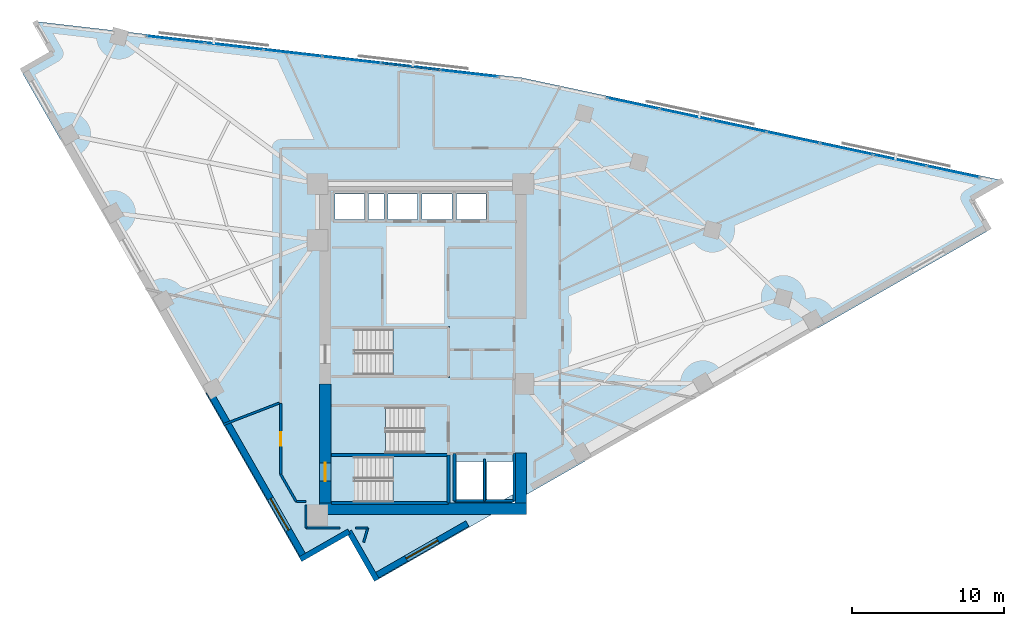
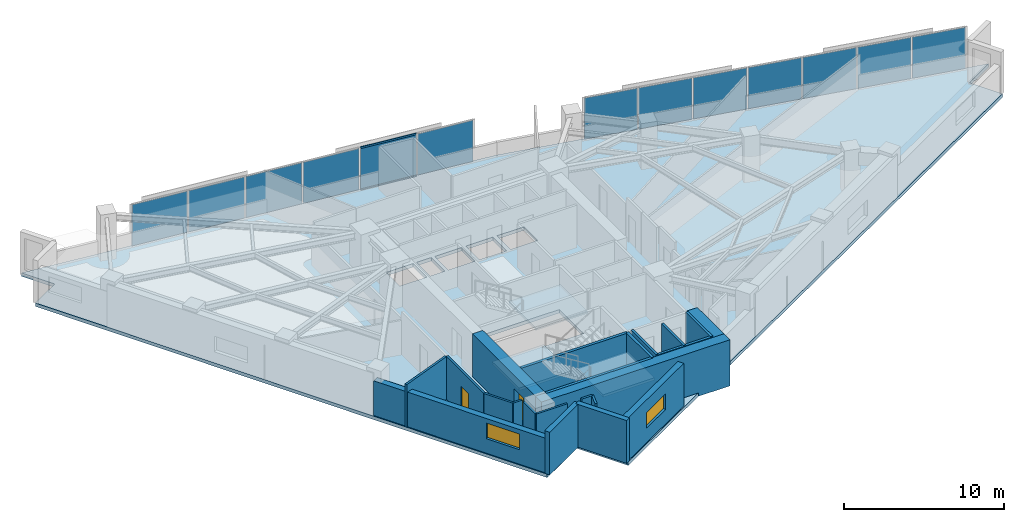
# One storey, part 8 of 13: 22 walls, 13 plates, 4 slabs, 2 doors, 2 members, 2 windows, 4 openings, 5 elements without a shape of their own.
"""IFC4 building model written with IfcOpenShell, lengths in metres."""

from ifc_helpers import new_model, si_unit, direction, frame, frame_2d, origin, origin_2d, place, context, subcontext, project, spatial, polyline, rectangle, hollow_rectangle, outline, extrude, material, layer, layer_set, material_profile, profile_set, type_object, element, fill, aggregate, save


model = new_model("IFC4")

# Units and contexts
model_context = context("Model", 3, precision=1e-05, world=origin(), true_north=direction((0.0, 1.0)))
body_context = subcontext(model_context, "Body", "Model", "MODEL_VIEW")
ifc_project = project(units=[si_unit("LENGTHUNIT", "METRE"), si_unit("AREAUNIT", "SQUARE_METRE"), si_unit("VOLUMEUNIT", "CUBIC_METRE"), si_unit("PLANEANGLEUNIT", "RADIAN"), si_unit("MASSUNIT", "GRAM", prefix="KILO")], contexts=[model_context])

# Site, building, storey
site_placement = place(None, origin())
site = spatial("IfcSite", under=ifc_project, at=site_placement, CompositionType="ELEMENT")
building_placement = place(site_placement, origin())
building = spatial("IfcBuilding", under=site, at=building_placement, Name="Narakoshi Arena Tower", CompositionType="ELEMENT")
storey_placement = place(building_placement, frame((0.0, 0.0, 225.5400390625)))
storey = spatial("IfcBuildingStorey", under=building, at=storey_placement, Name="L61", CompositionType="ELEMENT", Elevation=225.5400390625)

# Curtain wall, members
ifc_material_1 = material(Name="Anodised bronze aluminium 6063-T6", Category="aluminium")
curtain_wall_type = type_object("IfcCurtainWallType", Name="CW-HYP-MID", PredefinedType="NOTDEFINED", material=ifc_material_1)
curtain_wall_1_placement = place(storey_placement, origin())
curtain_wall_1 = element("IfcCurtainWall", 1, at=curtain_wall_1_placement, inside=storey, type_object=curtain_wall_type, Name="L61 Folded Hypotenuse Curtain Wall 2-1", PredefinedType="NOTDEFINED")
ifc_material_profile = material_profile(ifc_material_1, hollow_rectangle(XDim=0.06494140625, YDim=0.1298828125, WallThickness=0.00390625, OuterFilletRadius=0.0048828125, at=origin_2d()), Name="TRN130x65x4")
ifc_profile_set = profile_set([ifc_material_profile], Name="Anodised bronze aluminium 6063-T6")
member_type = type_object("IfcMemberType", Name="MEM-TRN-130", PredefinedType="USERDEFINED", material=ifc_profile_set)
member_1_placement = place(storey_placement, frame((80.032470703125, 64.002685546875, 0.032470703125), z_axis=(-0.993360986362, 0.115038909828, 0.0), x_axis=(-0.115038909828, -0.993360986362, 0.0)))
member_1 = element("IfcMember", 2, at=member_1_placement, type_object=member_type, Name="CW-02 transom 2.1", ObjectType="TRANSOM", PredefinedType="USERDEFINED", context=body_context, shape_type="SweptSolid", body=[
    extrude(hollow_rectangle(XDim=0.06494140625, YDim=0.1298828125, WallThickness=0.00390625, OuterFilletRadius=0.0048828125, at=origin_2d()), origin(), (0.0, 0.0, 1.0), 3.820068359375),
])
member_2_placement = place(storey_placement, frame((80.032470703125, 64.002685546875, 3.2275390625), z_axis=(-0.993360986362, 0.115038909828, 0.0), x_axis=(-0.115038909828, -0.993360986362, 0.0)))
member_2 = element("IfcMember", 3, at=member_2_placement, type_object=member_type, Name="CW-02 transom 2.2", ObjectType="TRANSOM", PredefinedType="USERDEFINED", context=body_context, shape_type="SweptSolid", body=[
    extrude(hollow_rectangle(XDim=0.06494140625, YDim=0.1298828125, WallThickness=0.00390625, OuterFilletRadius=0.0048828125, at=origin_2d()), origin(), (0.0, 0.0, 1.0), 3.820068359375),
])

# Curtain wall, plates
curtain_wall_2_placement = place(storey_placement, origin())
curtain_wall_2 = element("IfcCurtainWall", 4, at=curtain_wall_2_placement, inside=storey, type_object=curtain_wall_type, Name="L61 Folded Hypotenuse Curtain Wall 1-1", PredefinedType="NOTDEFINED")
ifc_material_2 = material(Name="Bronze-tinted low-E laminated glass", Category="glass")
ifc_layer_1 = layer(ifc_material_2, 0.0380859375)
ifc_layer_set_1 = layer_set([ifc_layer_1], Name="Bronze-tinted low-E laminated glass")
plate_type = type_object("IfcPlateType", Name="PLT-GLZ-38", PredefinedType="CURTAIN_PANEL", material=ifc_layer_set_1)
plate_1_placement = place(storey_placement, frame((113.835205078125, 57.3095703125, 0.06494140625), z_axis=(0.0, 0.0, 1.0), x_axis=(-0.977937185914, 0.208899163248, 0.0)))
plate_1 = element("IfcPlate", 5, at=plate_1_placement, type_object=plate_type, Name="CW-02 panel 1.1", PredefinedType="CURTAIN_PANEL", context=body_context, shape_type="SweptSolid", body=[
    extrude(rectangle(XDim=3.48095703125, YDim=0.0380859375, at=origin_2d()), origin(), (0.0, 0.0, 1.0), 3.1298828125),
])
plate_2_placement = place(storey_placement, frame((110.33935546875, 58.056396484375, 0.06494140625), z_axis=(0.0, 0.0, 1.0), x_axis=(-0.977937185914, 0.208899163248, 0.0)))
plate_2 = element("IfcPlate", 6, at=plate_2_placement, type_object=plate_type, Name="CW-02 panel 2.1", PredefinedType="CURTAIN_PANEL", context=body_context, shape_type="SweptSolid", body=[
    extrude(rectangle(XDim=3.518310546875, YDim=0.0380859375, at=origin_2d()), origin(), (0.0, 0.0, 1.0), 3.1298828125),
])
plate_3_placement = place(storey_placement, frame((106.8251953125, 58.806884765625, 0.06494140625), z_axis=(0.0, 0.0, 1.0), x_axis=(-0.977937185914, 0.208899163248, 0.0)))
plate_3 = element("IfcPlate", 7, at=plate_3_placement, type_object=plate_type, Name="CW-02 panel 3.1", PredefinedType="CURTAIN_PANEL", context=body_context, shape_type="SweptSolid", body=[
    extrude(rectangle(XDim=3.518310546875, YDim=0.0380859375, at=origin_2d()), origin(), (0.0, 0.0, 1.0), 3.1298828125),
])
plate_4_placement = place(storey_placement, frame((103.31103515625, 59.5576171875, 0.06494140625), z_axis=(0.0, 0.0, 1.0), x_axis=(-0.977937185914, 0.208899163248, 0.0)))
plate_4 = element("IfcPlate", 8, at=plate_4_placement, type_object=plate_type, Name="CW-02 panel 4.1", PredefinedType="CURTAIN_PANEL", context=body_context, shape_type="SweptSolid", body=[
    extrude(rectangle(XDim=3.518310546875, YDim=0.0380859375, at=origin_2d()), origin(), (0.0, 0.0, 1.0), 3.1298828125),
])
plate_5_placement = place(storey_placement, frame((99.796875, 60.308349609375, 0.06494140625), z_axis=(0.0, 0.0, 1.0), x_axis=(-0.977937185914, 0.208899163248, 0.0)))
plate_5 = element("IfcPlate", 9, at=plate_5_placement, type_object=plate_type, Name="CW-02 panel 5.1", PredefinedType="CURTAIN_PANEL", context=body_context, shape_type="SweptSolid", body=[
    extrude(rectangle(XDim=3.518310546875, YDim=0.0380859375, at=origin_2d()), origin(), (0.0, 0.0, 1.0), 3.1298828125),
])
plate_6_placement = place(storey_placement, frame((96.282958984375, 61.058837890625, 0.06494140625), z_axis=(0.0, 0.0, 1.0), x_axis=(-0.977937185914, 0.208899163248, 0.0)))
plate_6 = element("IfcPlate", 10, at=plate_6_placement, type_object=plate_type, Name="CW-02 panel 6.1", PredefinedType="CURTAIN_PANEL", context=body_context, shape_type="SweptSolid", body=[
    extrude(rectangle(XDim=3.518310546875, YDim=0.0380859375, at=origin_2d()), origin(), (0.0, 0.0, 1.0), 3.1298828125),
])
plate_7_placement = place(storey_placement, frame((92.787109375, 61.8056640625, 0.06494140625), z_axis=(0.0, 0.0, 1.0), x_axis=(-0.977937185914, 0.208899163248, 0.0)))
plate_7 = element("IfcPlate", 11, at=plate_7_placement, type_object=plate_type, Name="CW-02 panel 7.1", PredefinedType="CURTAIN_PANEL", context=body_context, shape_type="SweptSolid", body=[
    extrude(rectangle(XDim=3.48095703125, YDim=0.0380859375, at=origin_2d()), origin(), (0.0, 0.0, 1.0), 3.1298828125),
])
aggregate(curtain_wall_2, [plate_1, plate_2, plate_3, plate_4, plate_5, plate_6, plate_7])

# Plate
plate_8_placement = place(storey_placement, frame((81.985595703125, 63.776611328125, 0.06494140625), z_axis=(0.0, 0.0, 1.0), x_axis=(-0.993364183774, 0.115011296816, 0.0)))
plate_8 = element("IfcPlate", 12, at=plate_8_placement, type_object=plate_type, Name="CW-02 panel 1.1", PredefinedType="CURTAIN_PANEL", context=body_context, shape_type="SweptSolid", body=[
    extrude(rectangle(XDim=3.782470703125, YDim=0.0380859375, at=origin_2d()), origin(), (0.0, 0.0, 1.0), 3.1298828125),
])

plate_9_placement = place(storey_placement, frame((78.13525390625, 64.222412109375, 0.06494140625), z_axis=(0.0, 0.0, 1.0), x_axis=(-0.993364183774, 0.115011296816, 0.0)))
plate_9 = element("IfcPlate", 13, at=plate_9_placement, type_object=plate_type, Name="CW-02 panel 2.1", PredefinedType="CURTAIN_PANEL", context=body_context, shape_type="SweptSolid", body=[
    extrude(rectangle(XDim=3.820068359375, YDim=0.0380859375, at=origin_2d()), origin(), (0.0, 0.0, 1.0), 3.1298828125),
])

plate_10_placement = place(storey_placement, frame((74.26611328125, 64.67041015625, 0.06494140625), z_axis=(0.0, 0.0, 1.0), x_axis=(-0.993364183774, 0.115011296816, 0.0)))
plate_10 = element("IfcPlate", 14, at=plate_10_placement, type_object=plate_type, Name="CW-02 panel 3.1", PredefinedType="CURTAIN_PANEL", context=body_context, shape_type="SweptSolid", body=[
    extrude(rectangle(XDim=3.820068359375, YDim=0.0380859375, at=origin_2d()), origin(), (0.0, 0.0, 1.0), 3.1298828125),
])

plate_11_placement = place(storey_placement, frame((70.39697265625, 65.118408203125, 0.06494140625), z_axis=(0.0, 0.0, 1.0), x_axis=(-0.993364183774, 0.115011296816, 0.0)))
plate_11 = element("IfcPlate", 15, at=plate_11_placement, type_object=plate_type, Name="CW-02 panel 4.1", PredefinedType="CURTAIN_PANEL", context=body_context, shape_type="SweptSolid", body=[
    extrude(rectangle(XDim=3.820068359375, YDim=0.0380859375, at=origin_2d()), origin(), (0.0, 0.0, 1.0), 3.1298828125),
])

plate_12_placement = place(storey_placement, frame((66.52783203125, 65.56640625, 0.06494140625), z_axis=(0.0, 0.0, 1.0), x_axis=(-0.993364183774, 0.115011296816, 0.0)))
plate_12 = element("IfcPlate", 16, at=plate_12_placement, type_object=plate_type, Name="CW-02 panel 5.1", PredefinedType="CURTAIN_PANEL", context=body_context, shape_type="SweptSolid", body=[
    extrude(rectangle(XDim=3.820068359375, YDim=0.0380859375, at=origin_2d()), origin(), (0.0, 0.0, 1.0), 3.1298828125),
])

plate_13_placement = place(storey_placement, frame((62.67724609375, 66.01220703125, 0.06494140625), z_axis=(0.0, 0.0, 1.0), x_axis=(-0.993364183774, 0.115011296816, 0.0)))
plate_13 = element("IfcPlate", 17, at=plate_13_placement, type_object=plate_type, Name="CW-02 panel 6.1", PredefinedType="CURTAIN_PANEL", context=body_context, shape_type="SweptSolid", body=[
    extrude(rectangle(XDim=3.782470703125, YDim=0.0380859375, at=origin_2d()), origin(), (0.0, 0.0, 1.0), 3.1298828125),
])

aggregate(curtain_wall_1, [plate_8, member_1, member_2, plate_9, plate_10, plate_11, plate_12, plate_13])

# Stair, slab
ifc_material_3 = material(Name="Concrete C45/55", Category="concrete")
stair_type = type_object("IfcStairType", Name="STR-CORE-352", PredefinedType="TWO_STRAIGHT_RUN_STAIR", material=ifc_material_3)
stair_1_placement = place(storey_placement, origin())
stair_1 = element("IfcStair", 18, at=stair_1_placement, inside=storey, type_object=stair_type, Name="L61 Core Escape Stair ST1", PredefinedType="TWO_STRAIGHT_RUN_STAIR")
ifc_layer_2 = layer(ifc_material_3, 0.18994140625)
ifc_layer_set_2 = layer_set([ifc_layer_2], Name="Concrete C45/55")
slab_type_1 = type_object("IfcSlabType", Name="SLB-LND-190", PredefinedType="LANDING", material=ifc_layer_set_2)
slab_1_placement = place(storey_placement, frame((0.0, 0.0, 1.570068359375)))
slab_1 = element("IfcSlab", 19, at=slab_1_placement, type_object=slab_type_1, Name="ST1 landing 1", PredefinedType="LANDING", context=body_context, shape_type="SweptSolid", body=[
    extrude(outline(polyline([(76.965087890625, 35.3701171875), (80.679931640625, 35.3701171875), (80.679931640625, 38.72998046875), (76.965087890625, 38.72998046875), (76.965087890625, 35.3701171875)])), origin(), (0.0, 0.0, 1.0), 0.18994140625),
])
aggregate(stair_1, [slab_1])

stair_2_placement = place(storey_placement, origin())
stair_2 = element("IfcStair", 20, at=stair_2_placement, inside=storey, type_object=stair_type, Name="L61 Core Escape Stair ST2", PredefinedType="TWO_STRAIGHT_RUN_STAIR")
slab_2_placement = place(storey_placement, frame((0.0, 0.0, 1.570068359375)))
slab_2 = element("IfcSlab", 21, at=slab_2_placement, type_object=slab_type_1, Name="ST2 landing 1", PredefinedType="LANDING", context=body_context, shape_type="SweptSolid", body=[
    extrude(outline(polyline([(72.77001953125, 38.6201171875), (76.485107421875, 38.6201171875), (76.485107421875, 41.97998046875), (72.77001953125, 41.97998046875), (72.77001953125, 38.6201171875)])), origin(), (0.0, 0.0, 1.0), 0.18994140625),
])
aggregate(stair_2, [slab_2])

stair_3_placement = place(storey_placement, origin())
stair_3 = element("IfcStair", 22, at=stair_3_placement, inside=storey, type_object=stair_type, Name="L61 Core Escape Stair ST3", PredefinedType="TWO_STRAIGHT_RUN_STAIR")
slab_3_placement = place(storey_placement, frame((0.0, 0.0, 1.570068359375)))
slab_3 = element("IfcSlab", 23, at=slab_3_placement, type_object=slab_type_1, Name="ST3 landing 1", PredefinedType="LANDING", context=body_context, shape_type="SweptSolid", body=[
    extrude(outline(polyline([(76.965087890625, 43.77001953125), (80.679931640625, 43.77001953125), (80.679931640625, 47.1298828125), (76.965087890625, 47.1298828125), (76.965087890625, 43.77001953125)])), origin(), (0.0, 0.0, 1.0), 0.18994140625),
])
aggregate(stair_3, [slab_3])

# Slab
ifc_material_4 = material(Name="Concrete C50/60", Category="concrete")
ifc_layer_3 = layer(ifc_material_4, 0.260009765625)
ifc_layer_set_3 = layer_set([ifc_layer_3], Name="Concrete C50/60")
slab_type_2 = type_object("IfcSlabType", Name="SLB-SKY-260", PredefinedType="FLOOR", material=ifc_layer_set_3)
slab_4_placement = place(storey_placement, frame((0.0, 0.0, -0.260009765625)))
element("IfcSlab", 24, at=slab_4_placement, inside=storey, type_object=slab_type_2, Name="L61 Structural Floor Slab", PredefinedType="FLOOR", context=body_context, shape_type="SweptSolid", body=[
    extrude(outline(polyline([(75.915771484375, 30.43017578125), (116.209716796875, 53.460205078125), (115.01904296875, 55.54345703125), (117.1025390625, 56.734375), (85.442626953125, 63.497314453125), (53.408203125, 67.2060546875), (54.59912109375, 65.122802734375), (52.515625, 63.931884765625), (70.87841796875, 31.803466796875), (74.083740234375, 33.635498046875), (75.915771484375, 30.43017578125)]), holes=[polyline([(80.5, 35.550048828125), (74.47998046875, 35.550048828125), (74.47998046875, 38.550048828125), (80.5, 38.550048828125), (80.5, 35.550048828125)]), polyline([(82.89990234375, 35.75), (81.14990234375, 35.75), (81.14990234375, 38.25), (82.89990234375, 38.25), (82.89990234375, 35.75)]), polyline([(84.89990234375, 36.08349609375), (84.316650390625, 35.75), (83.14990234375, 35.75), (83.14990234375, 38.25), (84.89990234375, 38.25), (84.89990234375, 36.08349609375)]), polyline([(72.949951171875, 38.800048828125), (72.949951171875, 41.800048828125), (78.969970703125, 41.800048828125), (78.969970703125, 38.800048828125), (72.949951171875, 38.800048828125)]), polyline([(74.47998046875, 43.949951171875), (74.47998046875, 46.949951171875), (80.5, 46.949951171875), (80.5, 43.949951171875), (74.47998046875, 43.949951171875)]), polyline([(75.10009765625, 54.14990234375), (73.14990234375, 54.14990234375), (73.14990234375, 55.85009765625), (75.10009765625, 55.85009765625), (75.10009765625, 54.14990234375)]), polyline([(76.39990234375, 54.14990234375), (75.35009765625, 54.14990234375), (75.35009765625, 55.85009765625), (76.39990234375, 55.85009765625), (76.39990234375, 54.14990234375)]), polyline([(78.60009765625, 54.14990234375), (76.64990234375, 54.14990234375), (76.64990234375, 55.85009765625), (78.60009765625, 55.85009765625), (78.60009765625, 54.14990234375)]), polyline([(78.89990234375, 54.14990234375), (78.89990234375, 55.85009765625), (80.85009765625, 55.85009765625), (80.85009765625, 54.14990234375), (78.89990234375, 54.14990234375)]), polyline([(81.14990234375, 54.14990234375), (81.14990234375, 55.85009765625), (83.10009765625, 55.85009765625), (83.10009765625, 54.14990234375), (81.14990234375, 54.14990234375)])]), origin(), (0.0, 0.0, 1.0), 0.260009765625),
])

# Wall, opening, door
ifc_layer_4 = layer(ifc_material_4, 0.75)
ifc_layer_set_4 = layer_set([ifc_layer_4], Name="Concrete C50/60")
wall_type_1 = type_object("IfcWallType", Name="WL-CORE-750", PredefinedType="SHEAR", material=ifc_layer_set_4)
wall_1_placement = place(storey_placement, frame((72.52490234375, 35.5, -0.260009765625), z_axis=(0.0, 0.0, 1.0), x_axis=(0.0, 1.0, 0.0)))
wall_1 = element("IfcWall", 25, at=wall_1_placement, inside=storey, type_object=wall_type_1, Name="L61 Central Core Shear Wall CW-APX-W", PredefinedType="SHEAR", context=body_context, shape_type="SweptSolid", body=[
    extrude(rectangle(XDim=7.85009765625, YDim=0.75, at=frame_2d((3.925048828125, 0.0))), origin(), (0.0, 0.0, 1.0), 3.52001953125),
])
opening_1_placement = place(wall_1_placement, frame((1.449951171875, 0.0, 0.260009765625)))
opening_1 = element("IfcOpeningElement", 26, at=opening_1_placement, cuts=wall_1, Name="Opening D-03", PredefinedType="OPENING", context=body_context, shape_type="SweptSolid", body=[
    extrude(rectangle(XDim=1.199951171875, YDim=2.199951171875, at=frame_2d((0.60009765625, 1.10009765625))), frame((0.0, 0.385009765625, 0.0), z_axis=(0.0, -1.0, 0.0), x_axis=(1.0, 0.0, 0.0)), (0.0, 0.0, 1.0), 0.77001953125),
])
ifc_material_5 = material(Name="Painted galvanized steel", Category="steel")
door_type_1 = type_object("IfcDoorType", Name="DR-STR-1200", OperationType="NOTDEFINED", PredefinedType="USERDEFINED", material=ifc_material_5)
door_1_placement = place(opening_1_placement, frame((1.199951171875, 0.0, 0.0), z_axis=(0.0, 0.0, 1.0), x_axis=(-1.0, 0.0, 0.0)))
door_1 = element("IfcDoor", 27, at=door_1_placement, inside=storey, type_object=door_type_1, Name="DR-L61-001", ObjectType="EXITDOOR", OperationType="SINGLE_SWING_LEFT", OverallHeight=2.199951171875, OverallWidth=1.199951171875, PredefinedType="USERDEFINED", context=body_context, shape_type="SweptSolid", body=[
    extrude(rectangle(XDim=1.199951171875, YDim=2.199951171875, at=frame_2d((0.60009765625, 1.10009765625))), frame((0.0, 0.02490234375, 0.0), z_axis=(0.0, -1.0, 0.0), x_axis=(1.0, 0.0, 0.0)), (0.0, 0.0, 1.0), 0.050048828125),
])
fill(opening_1, door_1)

# Walls
wall_2_placement = place(storey_placement, frame((72.14990234375, 35.125, -0.260009765625), z_axis=(0.0, 0.0, 1.0), x_axis=(1.0, 0.0, 0.0)))
element("IfcWall", 28, at=wall_2_placement, inside=storey, type_object=wall_type_1, Name="L61 Central Core Shear Wall CW-APX-S", PredefinedType="SHEAR", context=body_context, shape_type="SweptSolid", body=[
    extrude(rectangle(XDim=13.60009765625, YDim=0.75, at=frame_2d((6.800048828125, 0.0))), origin(), (0.0, 0.0, 1.0), 3.52001953125),
])
wall_3_placement = place(storey_placement, frame((85.375, 35.5, -0.260009765625), z_axis=(0.0, 0.0, 1.0), x_axis=(0.0, 1.0, 0.0)))
element("IfcWall", 29, at=wall_3_placement, inside=storey, type_object=wall_type_1, Name="L61 Central Core Shear Wall CW-APX-E", PredefinedType="SHEAR", context=body_context, shape_type="SweptSolid", body=[
    extrude(rectangle(XDim=3.300048828125, YDim=0.75, at=frame_2d((1.64990234375, 0.0))), origin(), (0.0, 0.0, 1.0), 3.52001953125),
])

# Wall, opening, window
ifc_material_6 = material(Name="Precast concrete C45/55", Category="concrete")
ifc_layer_5 = layer(ifc_material_6, 0.419921875)
ifc_layer_set_5 = layer_set([ifc_layer_5], Name="Precast concrete C45/55")
wall_type_2 = type_object("IfcWallType", Name="WL-POD-420", PredefinedType="SOLIDWALL", material=ifc_layer_set_5)
wall_4_placement = place(storey_placement, frame((75.779296875, 30.6689453125, 0.0), z_axis=(0.0, 0.0, 1.0), x_axis=(0.868213158215, 0.496191406519, 0.0)))
wall_4 = element("IfcWall", 30, at=wall_4_placement, inside=storey, type_object=wall_type_2, Name="L61 Architectural Concrete Facade Wall LEGA-1", PredefinedType="SOLIDWALL", context=body_context, shape_type="SweptSolid", body=[
    extrude(rectangle(XDim=7.015380859375, YDim=0.419921875, at=frame_2d((3.5078125, 0.0))), origin(), (0.0, 0.0, 1.0), 3.260009765625),
])
opening_2_placement = place(wall_4_placement, frame((2.376708984375, 0.0, 1.10009765625)))
opening_2 = element("IfcOpeningElement", 31, at=opening_2_placement, cuts=wall_4, Name="Opening WN-04", PredefinedType="OPENING", context=body_context, shape_type="SweptSolid", body=[
    extrude(rectangle(XDim=2.39990234375, YDim=1.199951171875, at=frame_2d((1.199951171875, 0.60009765625))), frame((0.0, 0.219970703125, 0.0), z_axis=(0.0, -1.0, 0.0), x_axis=(1.0, 0.0, 0.0)), (0.0, 0.0, 1.0), 0.43994140625),
])
window_type = type_object("IfcWindowType", Name="WIN-SLT-24x12", PartitioningType="SINGLE_PANEL", PredefinedType="WINDOW", material=ifc_material_2)
window_1_placement = place(opening_2_placement, origin())
window_1 = element("IfcWindow", 32, at=window_1_placement, inside=storey, type_object=window_type, Name="L61 LEGA1 Horizontal Slot Window 1", OverallHeight=1.199951171875, OverallWidth=2.39990234375, PartitioningType="SINGLE_PANEL", PredefinedType="WINDOW", context=body_context, shape_type="SweptSolid", body=[
    extrude(rectangle(XDim=2.39990234375, YDim=1.199951171875, at=frame_2d((1.199951171875, 0.60009765625))), frame((0.0, 0.030029296875, 0.0), z_axis=(0.0, -1.0, 0.0), x_axis=(1.0, 0.0, 0.0)), (0.0, 0.0, 1.0), 0.06005859375),
])
fill(opening_2, window_1)

wall_5_placement = place(storey_placement, frame((64.873779296875, 42.863525390625, 0.0), z_axis=(0.0, 0.0, 1.0), x_axis=(0.49622043329, -0.868196568517, 0.0)))
wall_5 = element("IfcWall", 33, at=wall_5_placement, inside=storey, type_object=wall_type_2, Name="L61 Architectural Concrete Facade Wall LEGB-3", PredefinedType="SOLIDWALL", context=body_context, shape_type="SweptSolid", body=[
    extrude(rectangle(XDim=12.58203125, YDim=0.419921875, at=frame_2d((6.291015625, 0.0))), origin(), (0.0, 0.0, 1.0), 2.64501953125),
])
opening_3_placement = place(wall_5_placement, frame((8.135986328125, 0.0, 1.10009765625)))
opening_3 = element("IfcOpeningElement", 34, at=opening_3_placement, cuts=wall_5, Name="Opening WN-04", PredefinedType="OPENING", context=body_context, shape_type="SweptSolid", body=[
    extrude(rectangle(XDim=2.39990234375, YDim=1.199951171875, at=frame_2d((1.199951171875, 0.60009765625))), frame((0.0, 0.219970703125, 0.0), z_axis=(0.0, -1.0, 0.0), x_axis=(1.0, 0.0, 0.0)), (0.0, 0.0, 1.0), 0.43994140625),
])
window_2_placement = place(opening_3_placement, origin())
window_2 = element("IfcWindow", 35, at=window_2_placement, inside=storey, type_object=window_type, Name="L61 LEGB3 Horizontal Slot Window 1", OverallHeight=1.199951171875, OverallWidth=2.39990234375, PartitioningType="SINGLE_PANEL", PredefinedType="WINDOW", context=body_context, shape_type="SweptSolid", body=[
    extrude(rectangle(XDim=2.39990234375, YDim=1.199951171875, at=frame_2d((1.199951171875, 0.60009765625))), frame((0.0, 0.030029296875, 0.0), z_axis=(0.0, -1.0, 0.0), x_axis=(1.0, 0.0, 0.0)), (0.0, 0.0, 1.0), 0.06005859375),
])
fill(opening_3, window_2)

# Walls
for number, where, z_axis, x_axis, name in (
    (36, (70.87841796875, 31.803466796875, 0.0), (0.0, 0.0, 1.0), (0.868194304946, 0.496224393656, 0.0), "L61 Re-Entrant Corner Notch Wall NTA-1"),
    (37, (74.083740234375, 33.635498046875, 0.0), (0.0, 0.0, 1.0), (0.496224393656, -0.868194304946, 0.0), "L61 Re-Entrant Corner Notch Wall NTA-2"),
):
    element("IfcWall", number, at=place(storey_placement, frame(where, z_axis=z_axis, x_axis=x_axis)), inside=storey, type_object=wall_type_2, Name=name, PredefinedType="SOLIDWALL", context=body_context, shape_type="SweptSolid", body=[
        extrude(rectangle(XDim=3.69189453125, YDim=0.360107421875, at=frame_2d((1.845947265625, 0.0))), origin(), (0.0, 0.0, 1.0), 3.260009765625),
    ])
ifc_material_7 = material(Name="Concrete C40/50", Category="concrete")
ifc_layer_6 = layer(ifc_material_7, 0.280029296875)
ifc_layer_set_6 = layer_set([ifc_layer_6], Name="Concrete C40/50")
wall_type_3 = type_object("IfcWallType", Name="WL-RISER-280", PredefinedType="PLUMBINGWALL", material=ifc_layer_set_6)
wall_6_placement = place(storey_placement, frame((83.0, 35.64990234375, 0.0), z_axis=(0.0, 0.0, 1.0), x_axis=(0.0, 1.0, 0.0)))
element("IfcWall", 38, at=wall_6_placement, inside=storey, type_object=wall_type_3, Name="L61 Core Wall FF-DIV", PredefinedType="PLUMBINGWALL", context=body_context, shape_type="SweptSolid", body=[
    extrude(rectangle(XDim=2.75, YDim=0.159912109375, at=frame_2d((1.375, 0.0))), origin(), (0.0, 0.0, 1.0), 3.260009765625),
])
ifc_layer_7 = layer(ifc_material_4, 0.35009765625)
ifc_layer_set_7 = layer_set([ifc_layer_7], Name="Concrete C50/60")
wall_type_4 = type_object("IfcWallType", Name="WL-SHAFT-350", PredefinedType="SOLIDWALL", material=ifc_layer_set_7)
for number, where, z_axis, x_axis, name in (
    (39, (72.919921875, 35.52001953125, -0.260009765625), (0.0, 0.0, 1.0), (1.0, 0.0, 0.0), "L61 Core Wall ST1-S"),
    (40, (72.919921875, 38.675048828125, -0.260009765625), (0.0, 0.0, 1.0), (1.0, 0.0, 0.0), "L61 Core Wall ST12-DIV"),
):
    element("IfcWall", number, at=place(storey_placement, frame(where, z_axis=z_axis, x_axis=x_axis)), inside=storey, type_object=wall_type_4, Name=name, PredefinedType="SOLIDWALL", context=body_context, shape_type="SweptSolid", body=[
        extrude(rectangle(XDim=7.7001953125, YDim=0.199951171875, at=frame_2d((3.85009765625, 0.0))), origin(), (0.0, 0.0, 1.0), 3.52001953125),
    ])
wall_7_placement = place(storey_placement, frame((80.6201171875, 35.52001953125, -0.260009765625), z_axis=(0.0, 0.0, 1.0), x_axis=(0.0, 1.0, 0.0)))
element("IfcWall", 41, at=wall_7_placement, inside=storey, type_object=wall_type_4, Name="L61 Core Wall ST1-E", PredefinedType="SOLIDWALL", context=body_context, shape_type="SweptSolid", body=[
    extrude(rectangle(XDim=3.155029296875, YDim=0.199951171875, at=frame_2d((1.57763671875, 0.0))), origin(), (0.0, 0.0, 1.0), 3.52001953125),
])
for number, where, z_axis, x_axis, name in (
    (42, (84.949951171875, 35.64990234375, 0.0), (0.0, 0.0, 1.0), (0.0, 1.0, 0.0), "L61 Core Wall FF-E"),
    (43, (81.02001953125, 35.64990234375, 0.0), (0.0, 0.0, 1.0), (0.0, 1.0, 0.0), "L61 Core Wall FF-W"),
):
    element("IfcWall", number, at=place(storey_placement, frame(where, z_axis=z_axis, x_axis=x_axis)), inside=storey, type_object=wall_type_4, Name=name, PredefinedType="SOLIDWALL", context=body_context, shape_type="SweptSolid", body=[
        extrude(rectangle(XDim=3.10009765625, YDim=0.179931640625, at=frame_2d((1.550048828125, 0.0))), origin(), (0.0, 0.0, 1.0), 3.260009765625),
    ])
wall_8_placement = place(storey_placement, frame((81.02001953125, 35.64990234375, 0.0), z_axis=(0.0, 0.0, 1.0), x_axis=(1.0, 0.0, 0.0)))
element("IfcWall", 44, at=wall_8_placement, inside=storey, type_object=wall_type_4, Name="L61 Core Wall FF-S", PredefinedType="SOLIDWALL", context=body_context, shape_type="SweptSolid", body=[
    extrude(rectangle(XDim=3.929931640625, YDim=0.179931640625, at=frame_2d((1.96484375, 0.0))), origin(), (0.0, 0.0, 1.0), 3.260009765625),
])
ifc_material_8 = material(Name="Moisture-resistant cement-board partition")
ifc_layer_8 = layer(ifc_material_8, 0.14501953125)
ifc_layer_set_8 = layer_set([ifc_layer_8], Name="Moisture-resistant cement-board partition")
wall_type_5 = type_object("IfcWallType", Name="WL-WET-145", PredefinedType="PARTITIONING", material=ifc_layer_set_8)
wall_9_placement = place(storey_placement, frame((69.494384765625, 42.083984375, 0.0), z_axis=(0.0, 0.0, 1.0), x_axis=(-0.933093355894, -0.359634243623, 0.0)))
element("IfcWall", 45, at=wall_9_placement, inside=storey, type_object=wall_type_5, Name="L61 Inter-Room Partition 01-02", PredefinedType="PARTITIONING", context=body_context, shape_type="SweptSolid", body=[
    extrude(rectangle(XDim=3.94482421875, YDim=0.14501953125, at=frame_2d((1.972412109375, 0.0))), origin(), (0.0, 0.0, 1.0), 3.260009765625),
])

# Wall, opening, door
wall_10_placement = place(storey_placement, frame((69.583251953125, 42.058349609375, 0.0), z_axis=(0.0, 0.0, 1.0), x_axis=(0.0, -1.0, 0.0)))
wall_10 = element("IfcWall", 46, at=wall_10_placement, inside=storey, type_object=wall_type_5, Name="L61 Corridor Partition 02-1", PredefinedType="PARTITIONING", context=body_context, shape_type="SweptSolid", body=[
    extrude(rectangle(XDim=4.663330078125, YDim=0.14501953125, at=frame_2d((2.33154296875, 0.0))), origin(), (0.0, 0.0, 1.0), 3.260009765625),
])
opening_4_placement = place(wall_10_placement, frame((1.881591796875, 0.0, 0.0)))
opening_4 = element("IfcOpeningElement", 47, at=opening_4_placement, cuts=wall_10, Name="Opening D-08", PredefinedType="OPENING", context=body_context, shape_type="SweptSolid", body=[
    extrude(rectangle(XDim=0.89990234375, YDim=2.10009765625, at=frame_2d((0.449951171875, 1.050048828125))), frame((0.0, 0.08251953125, 0.0), z_axis=(0.0, -1.0, 0.0), x_axis=(1.0, 0.0, 0.0)), (0.0, 0.0, 1.0), 0.1650390625),
])
ifc_material_9 = material(Name="Moisture-resistant laminate timber", Category="wood")
door_type_2 = type_object("IfcDoorType", Name="DR-WC-900", OperationType="NOTDEFINED", PredefinedType="DOOR", material=ifc_material_9)
door_2_placement = place(opening_4_placement, frame((0.89990234375, 0.0, 0.0), z_axis=(0.0, 0.0, 1.0), x_axis=(-1.0, 0.0, 0.0)))
door_2 = element("IfcDoor", 48, at=door_2_placement, inside=storey, type_object=door_type_2, Name="DR-L61-016", OperationType="SINGLE_SWING_LEFT", OverallHeight=2.10009765625, OverallWidth=0.89990234375, PredefinedType="DOOR", context=body_context, shape_type="SweptSolid", body=[
    extrude(rectangle(XDim=0.89990234375, YDim=2.10009765625, at=frame_2d((0.449951171875, 1.050048828125))), frame((0.0, 0.02490234375, 0.0), z_axis=(0.0, -1.0, 0.0), x_axis=(1.0, 0.0, 0.0)), (0.0, 0.0, 1.0), 0.050048828125),
])
fill(opening_4, door_2)

# Walls
wall_11_placement = place(storey_placement, frame((69.583251953125, 37.39501953125, 0.0), z_axis=(0.0, 0.0, 1.0), x_axis=(0.496215240912, -0.868199536217, 0.0)))
element("IfcWall", 49, at=wall_11_placement, inside=storey, type_object=wall_type_5, Name="L61 Corridor Partition 02-2", PredefinedType="PARTITIONING", context=body_context, shape_type="SweptSolid", body=[
    extrude(rectangle(XDim=2.0673828125, YDim=0.14501953125, at=frame_2d((1.03369140625, 0.0))), origin(), (0.0, 0.0, 1.0), 3.260009765625),
])
wall_12_placement = place(storey_placement, frame((70.609130859375, 35.60009765625, 0.0), z_axis=(0.0, 0.0, 1.0), x_axis=(1.0, 0.0, 0.0)))
element("IfcWall", 50, at=wall_12_placement, inside=storey, type_object=wall_type_5, Name="L61 Corridor Partition 02-3", PredefinedType="PARTITIONING", context=body_context, shape_type="SweptSolid", body=[
    extrude(rectangle(XDim=0.640869140625, YDim=0.14501953125, at=frame_2d((0.3203125, 0.0))), origin(), (0.0, 0.0, 1.0), 3.260009765625),
])
wall_13_placement = place(storey_placement, frame((71.25, 35.367431640625, 0.0), z_axis=(0.0, 0.0, 1.0), x_axis=(0.0, -1.0, 0.0)))
element("IfcWall", 51, at=wall_13_placement, inside=storey, type_object=wall_type_5, Name="L61 Room Enclosure Partition 02-1", PredefinedType="PARTITIONING", context=body_context, shape_type="SweptSolid", body=[
    extrude(rectangle(XDim=1.517333984375, YDim=0.14501953125, at=frame_2d((0.7587890625, 0.0))), origin(), (0.0, 0.0, 1.0), 3.260009765625),
])
wall_14_placement = place(storey_placement, frame((71.25, 33.85009765625, 0.0), z_axis=(0.0, 0.0, 1.0), x_axis=(1.0, 0.0, 0.0)))
element("IfcWall", 52, at=wall_14_placement, inside=storey, type_object=wall_type_5, Name="L61 Room Enclosure Partition 02-2", PredefinedType="PARTITIONING", context=body_context, shape_type="SweptSolid", body=[
    extrude(rectangle(XDim=2.241943359375, YDim=0.14501953125, at=frame_2d((1.12109375, 0.0))), origin(), (0.0, 0.0, 1.0), 3.260009765625),
])
wall_15_placement = place(storey_placement, frame((74.513916015625, 33.85009765625, 0.0), z_axis=(0.0, 0.0, 1.0), x_axis=(1.0, 0.0, 0.0)))
element("IfcWall", 53, at=wall_15_placement, inside=storey, type_object=wall_type_5, Name="L61 Room Enclosure Partition 02-3", PredefinedType="PARTITIONING", context=body_context, shape_type="SweptSolid", body=[
    extrude(rectangle(XDim=0.80419921875, YDim=0.14501953125, at=frame_2d((0.402099609375, 0.0))), origin(), (0.0, 0.0, 1.0), 3.260009765625),
])
wall_16_placement = place(storey_placement, frame((75.318115234375, 33.85009765625, 0.0), z_axis=(0.0, 0.0, 1.0), x_axis=(-0.283177319633, -0.959067570949, 0.0)))
element("IfcWall", 54, at=wall_16_placement, inside=storey, type_object=wall_type_5, Name="L61 Room Enclosure Partition 02-4", PredefinedType="PARTITIONING", context=body_context, shape_type="SweptSolid", body=[
    extrude(rectangle(XDim=0.96728515625, YDim=0.14501953125, at=frame_2d((0.483642578125, 0.0))), origin(), (0.0, 0.0, 1.0), 3.260009765625),
])

save(model, "model.ifc")
